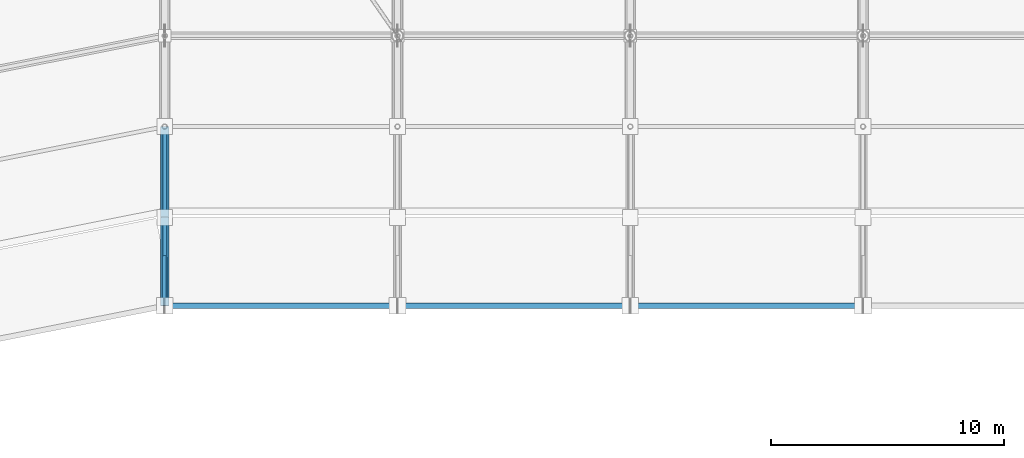
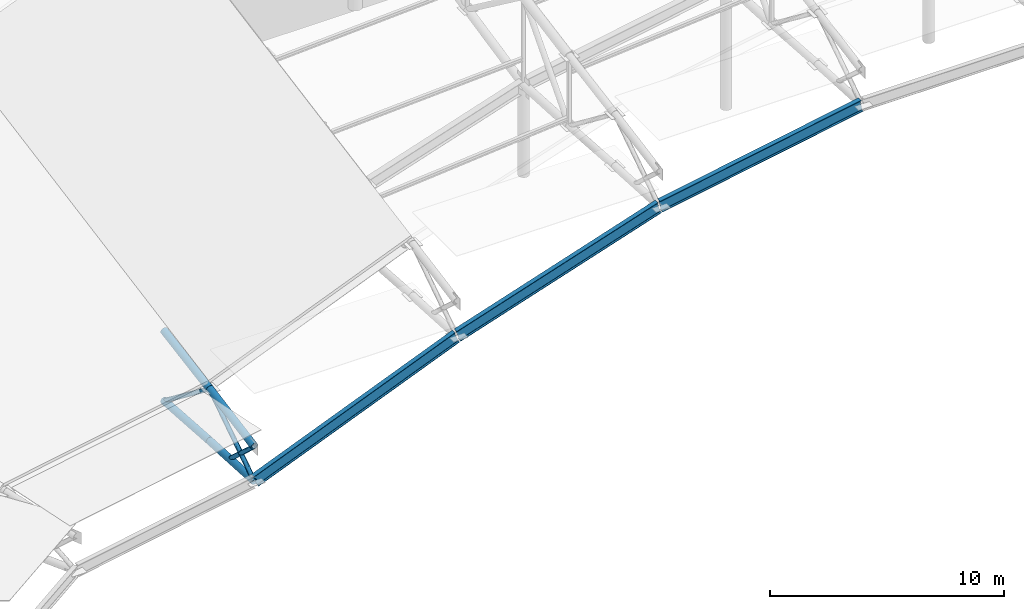
# One storey, part 53 of 146: 7 members, 3 beams.
"""IFC4 building model written with IfcOpenShell, lengths in metres."""

from ifc_helpers import new_model, si_unit, direction, frame, origin, origin_2d, place, context, subcontext, project, spatial, hollow_circle, i_section, extrude, material, material_profile, profile_set, type_object, element, save


model = new_model("IFC4")

# Units and contexts
model_context = context("Model", 3, precision=1e-05, world=origin(), true_north=direction((0.0, 1.0)))
body_context = subcontext(model_context, "Body", "Model", "MODEL_VIEW")
ifc_project = project(units=[si_unit("LENGTHUNIT", "METRE"), si_unit("AREAUNIT", "SQUARE_METRE"), si_unit("VOLUMEUNIT", "CUBIC_METRE"), si_unit("PLANEANGLEUNIT", "RADIAN"), si_unit("MASSUNIT", "GRAM", prefix="KILO")], contexts=[model_context])

# Site, building, storey
site_placement = place(None, origin())
site = spatial("IfcSite", under=ifc_project, at=site_placement, CompositionType="ELEMENT")
building_placement = place(site_placement, origin())
building = spatial("IfcBuilding", under=site, at=building_placement, Name="Candeia Ridge Stadium", CompositionType="ELEMENT")
storey_placement = place(building_placement, frame((0.0, 0.0, 31.800048828125)))
storey = spatial("IfcBuildingStorey", under=building, at=storey_placement, Name="RF", CompositionType="ELEMENT", Elevation=31.800048828125)

# Beams
ifc_material = material(Name="Steel ASTM A572 Grade 50", Category="steel")
ifc_material_profile_1 = material_profile(ifc_material, i_section(OverallWidth=0.22998046875, OverallDepth=0.616943359375, WebThickness=0.01318359375, FlangeThickness=0.022216796875, FilletRadius=0.014892578125, at=origin_2d()), Name="W610x140", Category="steel")
ifc_profile_set_1 = profile_set([ifc_material_profile_1], Name="Steel ASTM A572 Grade 50")
beam_type = type_object("IfcBeamType", Name="Roof Inner Tension Ring Beam W610x140", PredefinedType="BEAM", material=ifc_profile_set_1)
beam_1_placement = place(storey_placement, frame((100.960693359375, 121.0, 7.197021484375), z_axis=(-0.983924099588, 0.0, -0.178587139095), x_axis=(0.0, -1.0, 0.0)))
element("IfcBeam", 1, at=beam_1_placement, inside=storey, type_object=beam_type, Name="Roof inner tension ring beam bay 05", PredefinedType="BEAM", context=body_context, shape_type="SweptSolid", body=[
    extrude(i_section(OverallWidth=0.22998046875, OverallDepth=0.616943359375, WebThickness=0.01318359375, FlangeThickness=0.022216796875, FilletRadius=0.014892578125, at=origin_2d()), origin(), (0.0, 0.0, 1.0), 10.08349609375),
])
beam_2_placement = place(storey_placement, frame((90.9619140625, 121.0, 5.376708984375), z_axis=(-0.950452285368, 0.0, -0.310870476628), x_axis=(0.0, -1.0, 0.0)))
element("IfcBeam", 2, at=beam_2_placement, inside=storey, type_object=beam_type, Name="Roof inner tension ring beam bay 06", PredefinedType="BEAM", context=body_context, shape_type="SweptSolid", body=[
    extrude(i_section(OverallWidth=0.22998046875, OverallDepth=0.616943359375, WebThickness=0.01318359375, FlangeThickness=0.022216796875, FilletRadius=0.014892578125, at=origin_2d()), origin(), (0.0, 0.0, 1.0), 10.441162109375),
])
beam_3_placement = place(storey_placement, frame((80.962890625, 121.0, 2.103271484375), z_axis=(-0.925953474799, 0.0, -0.37763760738), x_axis=(0.0, -1.0, 0.0)))
element("IfcBeam", 3, at=beam_3_placement, inside=storey, type_object=beam_type, Name="Roof inner tension ring beam bay 07", PredefinedType="BEAM", context=body_context, shape_type="SweptSolid", body=[
    extrude(i_section(OverallWidth=0.22998046875, OverallDepth=0.616943359375, WebThickness=0.01318359375, FlangeThickness=0.022216796875, FilletRadius=0.014892578125, at=origin_2d()), origin(), (0.0, 0.0, 1.0), 10.719482421875),
])

# Members
ifc_material_profile_2 = material_profile(ifc_material, hollow_circle(Radius=0.109619140625, WallThickness=0.010009765625, at=origin_2d()), Name="CHS219x10", Category="steel")
ifc_profile_set_2 = profile_set([ifc_material_profile_2], Name="Steel ASTM A572 Grade 50")
member_type_1 = type_object("IfcMemberType", Name="Roof Truss Inner Web Brace CHS219x10", PredefinedType="BRACE", material=ifc_profile_set_2)
member_1_placement = place(storey_placement, frame((71.0, 121.0, -1.9599609375), z_axis=(0.0, 0.835124576935, 0.550060852087), x_axis=(-1.0, 0.0, 0.0)))
element("IfcMember", 4, at=member_1_placement, inside=storey, type_object=member_type_1, Name="Roof cantilever truss RT-08 diagonal web 1", PredefinedType="BRACE", context=body_context, shape_type="SweptSolid", body=[
    extrude(hollow_circle(Radius=0.109619140625, WallThickness=0.010009765625, at=origin_2d()), origin(), (0.0, 0.0, 1.0), 4.55029296875),
])
member_2_placement = place(storey_placement, frame((71.0, 124.800048828125, 0.54296875), z_axis=(0.0, 0.793887844601, -0.608064215519), x_axis=(-1.0, 0.0, 0.0)))
element("IfcMember", 5, at=member_2_placement, inside=storey, type_object=member_type_1, Name="Roof cantilever truss RT-08 diagonal web 2", PredefinedType="BRACE", context=body_context, shape_type="SweptSolid", body=[
    extrude(hollow_circle(Radius=0.109619140625, WallThickness=0.010009765625, at=origin_2d()), origin(), (0.0, 0.0, 1.0), 4.912353515625),
])
member_3_placement = place(storey_placement, frame((71.0, 123.090087890625, -2.077880859375), z_axis=(0.0, -0.736836090738, 0.676071427725), x_axis=(1.0, 0.0, 0.0)))
element("IfcMember", 6, at=member_3_placement, inside=storey, type_object=member_type_1, Name="Roof cantilever truss RT-08 vertical post 0", PredefinedType="BRACE", context=body_context, shape_type="SweptSolid", body=[
    extrude(hollow_circle(Radius=0.109619140625, WallThickness=0.010009765625, at=origin_2d()), origin(), (0.0, 0.0, 1.0), 2.836669921875),
])
ifc_material_profile_3 = material_profile(ifc_material, hollow_circle(Radius=0.177734375, WallThickness=0.01416015625, at=origin_2d()), Name="CHS355x14", Category="steel")
ifc_profile_set_3 = profile_set([ifc_material_profile_3], Name="Steel ASTM A572 Grade 50")
member_type_2 = type_object("IfcMemberType", Name="Roof Truss Tip Chord CHS355x14", PredefinedType="CHORD", material=ifc_profile_set_3)
member_4_placement = place(storey_placement, frame((71.0, 121.0, -0.16015625), z_axis=(0.0, 0.983309224326, 0.181942214331), x_axis=(-1.0, 0.0, 0.0)))
element("IfcMember", 7, at=member_4_placement, inside=storey, type_object=member_type_2, Name="Roof cantilever truss RT-08 top chord 1", PredefinedType="CHORD", context=body_context, shape_type="SweptSolid", body=[
    extrude(hollow_circle(Radius=0.177734375, WallThickness=0.01416015625, at=origin_2d()), origin(), (0.0, 0.0, 1.0), 3.864501953125),
])
member_5_placement = place(storey_placement, frame((71.0, 121.0, -1.9599609375), z_axis=(0.0, 0.99841282113, -0.056319078506), x_axis=(-1.0, 0.0, 0.0)))
element("IfcMember", 8, at=member_5_placement, inside=storey, type_object=member_type_2, Name="Roof cantilever truss RT-08 bottom chord 1", PredefinedType="CHORD", context=body_context, shape_type="SweptSolid", body=[
    extrude(hollow_circle(Radius=0.177734375, WallThickness=0.01416015625, at=origin_2d()), origin(), (0.0, 0.0, 1.0), 3.80615234375),
])
member_6_placement = place(storey_placement, frame((71.0, 124.800048828125, 0.54296875), z_axis=(0.0, 0.985502828795, 0.169658994565), x_axis=(-1.0, 0.0, 0.0)))
element("IfcMember", 9, at=member_6_placement, inside=storey, type_object=member_type_2, Name="Roof cantilever truss RT-08 top chord 2", PredefinedType="CHORD", context=body_context, shape_type="SweptSolid", body=[
    extrude(hollow_circle(Radius=0.177734375, WallThickness=0.01416015625, at=origin_2d()), origin(), (0.0, 0.0, 1.0), 3.957275390625),
])
member_7_placement = place(storey_placement, frame((71.0, 124.800048828125, -2.17431640625), z_axis=(0.0, 0.997615968556, -0.069009994069), x_axis=(-1.0, 0.0, 0.0)))
element("IfcMember", 10, at=member_7_placement, inside=storey, type_object=member_type_2, Name="Roof cantilever truss RT-08 bottom chord 2", PredefinedType="CHORD", context=body_context, shape_type="SweptSolid", body=[
    extrude(hollow_circle(Radius=0.177734375, WallThickness=0.01416015625, at=origin_2d()), origin(), (0.0, 0.0, 1.0), 3.9091796875),
])

save(model, "model.ifc")
